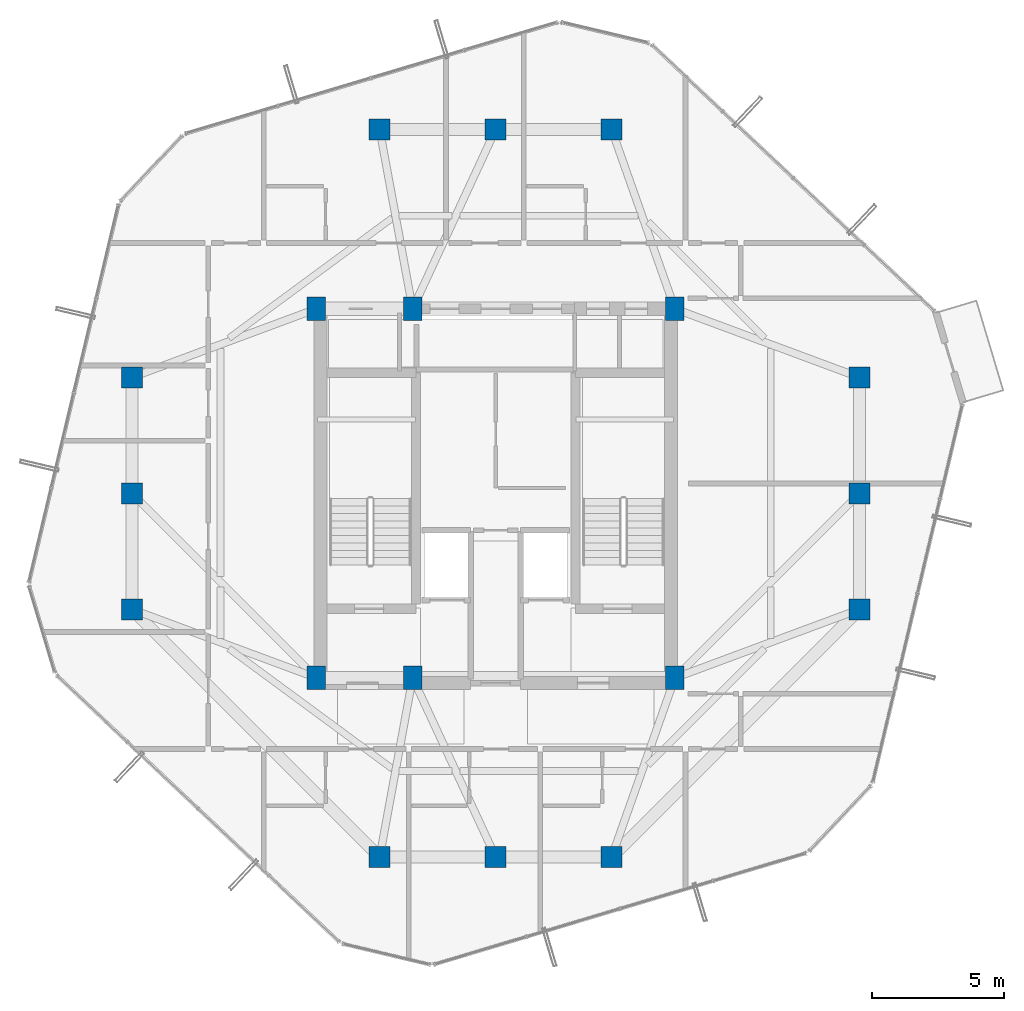
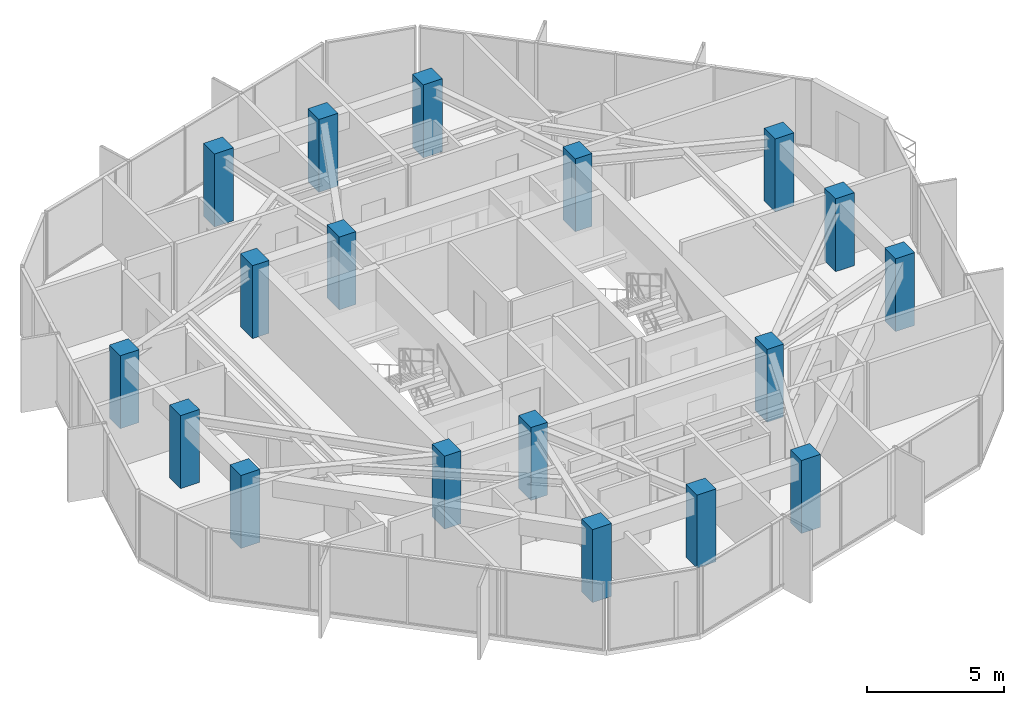
# One storey, part 1 of 28: 18 columns.
"""IFC4 building model written with IfcOpenShell, lengths in metres."""

import ifcopenshell
import ifcopenshell.guid

model = None  # the IFC model being written
_history = None  # IfcOwnerHistory: only IFC2X3 demands one
_inside = {}  # id of a spatial element -> (the spatial element, [elements in it])
_under = {}  # id of a project, library or spatial element -> (it, [spatial elements below it])
_declared = {}  # id of a project -> (the project, [libraries it declares])
_typed = {}  # id of a type object -> (the type object, [elements of that type])
_made_of = {}  # id of a material, layer set ... -> (it, [elements and type objects made of it])


def new_model(schema):
    """Start an empty IFC model of exactly this schema.

    Asked for "IFC4X3", IfcOpenShell would pick the latest addendum, in which some entities
    have other attributes; the version numbers below select the first issue.
    IFC2X3 requires an IfcOwnerHistory on every rooted entity: one is made here for all.
    """
    global model, _history
    if schema == "IFC4X3":
        model = ifcopenshell.file(schema_version=(4, 3, 0, 0))
    else:
        model = ifcopenshell.file(schema=schema)
    _inside.clear()
    _under.clear()
    _declared.clear()
    _typed.clear()
    _made_of.clear()
    _history = None
    if model.schema == "IFC2X3":
        org = make("IfcOrganization", Name="unknown")
        user = make(
            "IfcPersonAndOrganization",
            ThePerson=make("IfcPerson", FamilyName="unknown"),
            TheOrganization=org,
        )
        app = make(
            "IfcApplication",
            ApplicationDeveloper=org,
            Version="unknown",
            ApplicationFullName="unknown",
            ApplicationIdentifier="unknown",
        )
        _history = make(
            "IfcOwnerHistory",
            OwningUser=user,
            OwningApplication=app,
            ChangeAction="ADDED",
            CreationDate=0,
        )
    return model


def make(cls, **values):
    """One entity of the class cls with the attributes given. An attribute that is None is left unset."""
    return model.create_entity(
        cls, **{name: value for name, value in values.items() if value is not None}
    )


def rooted(cls, **values):
    """An entity with a GlobalId (a new one), such as an element, a storey or a relation."""
    return make(cls, GlobalId=ifcopenshell.guid.new(), OwnerHistory=_history, **values)


def si_unit(unit_type, name, prefix=None):
    """IfcSIUnit, for example si_unit("LENGTHUNIT", "METRE", prefix="MILLI")."""
    return make("IfcSIUnit", UnitType=unit_type, Prefix=prefix, Name=name)


def assignment(units):
    """IfcUnitAssignment: the units of a project."""
    return None if units is None else make("IfcUnitAssignment", Units=units)


def point(xyz):
    """IfcCartesianPoint."""
    return None if xyz is None else make("IfcCartesianPoint", Coordinates=xyz)


def direction(xyz):
    """IfcDirection."""
    return None if xyz is None else make("IfcDirection", DirectionRatios=xyz)


def frame(location, z_axis=None, x_axis=None):
    """IfcAxis2Placement3D, a coordinate frame: its origin and axes. An axis left out is left unset."""
    return make(
        "IfcAxis2Placement3D",
        Location=point(location),
        Axis=direction(z_axis),
        RefDirection=direction(x_axis),
    )


def frame_2d(location, x_axis=None):
    """IfcAxis2Placement2D, a coordinate frame in the plane: its origin and x axis."""
    return make(
        "IfcAxis2Placement2D", Location=point(location), RefDirection=direction(x_axis)
    )


def origin():
    """The frame at (0, 0, 0) with its axes left unset."""
    return frame((0.0, 0.0, 0.0))


def origin_2d():
    """The frame at (0, 0) in the plane with its x axis left unset."""
    return frame_2d((0.0, 0.0))


def place(relative_to, where):
    """IfcLocalPlacement: puts the frame where relative to a parent placement (None: the world)."""
    return make(
        "IfcLocalPlacement", PlacementRelTo=relative_to, RelativePlacement=where
    )


def context(
    kind, dimensions, precision=None, world=None, true_north=None, identifier=None
):
    """IfcGeometricRepresentationContext, for example the 3D "Model" context."""
    return make(
        "IfcGeometricRepresentationContext",
        ContextIdentifier=identifier,
        ContextType=kind,
        CoordinateSpaceDimension=dimensions,
        Precision=precision,
        WorldCoordinateSystem=world,
        TrueNorth=true_north,
    )


def subcontext(parent, identifier, kind, view, scale=None):
    """IfcGeometricRepresentationSubContext, for example "Body" below "Model"."""
    return make(
        "IfcGeometricRepresentationSubContext",
        ContextIdentifier=identifier,
        ContextType=kind,
        ParentContext=parent,
        TargetScale=scale,
        TargetView=view,
    )


def project(units=None, contexts=None):
    """IfcProject with its units and contexts."""
    return rooted(
        "IfcProject",
        Name="project",
        RepresentationContexts=contexts,
        UnitsInContext=assignment(units),
    )


def spatial(cls, under=None, at=None, **own):
    """A site, building, storey or space (cls), placed at a placement, below another one or the project."""
    s = rooted(cls, ObjectPlacement=at, **own)
    if under is not None:
        _under.setdefault(under.id(), (under, []))[1].append(s)
    return s


def profile(cls, at=None, kind="AREA", **sizes):
    """A parametric profile (cls). Its sizes go by their IFC names, for example OverallWidth=200.0."""
    return make(cls, ProfileType=kind, Position=at, **sizes)


def rectangle(**sizes):
    """IfcRectangleProfileDef."""
    return profile("IfcRectangleProfileDef", **sizes)


def extrude(swept, where, along, depth):
    """IfcExtrudedAreaSolid: the profile swept, set in the frame where, extruded along a direction by depth."""
    return make(
        "IfcExtrudedAreaSolid",
        SweptArea=swept,
        Position=where,
        ExtrudedDirection=direction(along),
        Depth=depth,
    )


def shape(context_of_items, identifier, shape_type, items):
    """IfcShapeRepresentation: the items that make up one representation, for example the "Body"."""
    return make(
        "IfcShapeRepresentation",
        ContextOfItems=context_of_items,
        RepresentationIdentifier=identifier,
        RepresentationType=shape_type,
        Items=items,
    )


def material(Name=None, Category=None):
    """IfcMaterial."""
    return make("IfcMaterial", Name=Name, Category=Category)


def material_profile(
    of_material, cross_section, Name=None, Category=None, Priority=None
):
    """IfcMaterialProfile: a cross section and its material."""
    return make(
        "IfcMaterialProfile",
        Name=Name,
        Material=of_material,
        Profile=cross_section,
        Priority=Priority,
        Category=Category,
    )


def profile_set(profiles, Name=None, composite=None):
    """IfcMaterialProfileSet."""
    return make(
        "IfcMaterialProfileSet",
        Name=Name,
        MaterialProfiles=profiles,
        CompositeProfile=composite,
    )


def made_of(thing, what):
    """Note that an element or type object is made of a material, layer set ...; save() writes the relation."""
    if what is not None:
        _made_of.setdefault(what.id(), (what, []))[1].append(thing)
    return thing


def type_object(cls, material=None, **own):
    """A type object (cls), such as IfcWallType, which elements share."""
    return made_of(rooted(cls, **own), material)


def element(
    cls,
    number,
    at=None,
    inside=None,
    cuts=None,
    type_object=None,
    material=None,
    context=None,
    identifier="Body",
    shape_type=None,
    held_by="IfcProductDefinitionShape",
    body=None,
    shapes=None,
    **own,
):
    """One element of the class cls, such as IfcWall. Its Tag is "e" and its number.

    at: its placement. inside: the storey or other place that contains it. cuts: it is an
    opening in that element (IfcRelVoidsElement). A single representation is given by context,
    identifier, shape_type and body (its items); several are given by shapes. held_by: the class
    of the entity that holds the representations. save() writes the other relations.
    """
    e = rooted(cls, Tag="e%d" % number, ObjectPlacement=at, **own)
    if body is not None:
        shapes = [shape(context, identifier, shape_type, body)]
    if shapes is not None:
        e.Representation = make(held_by, Representations=shapes)
    if inside is not None:
        _inside.setdefault(inside.id(), (inside, []))[1].append(e)
    if cuts is not None:
        rooted(
            "IfcRelVoidsElement", RelatingBuildingElement=cuts, RelatedOpeningElement=e
        )
    if type_object is not None:
        _typed.setdefault(type_object.id(), (type_object, []))[1].append(e)
    return made_of(e, material)


def aggregate(whole, parts):
    """IfcRelAggregates: a whole, such as a stair, and the parts it consists of."""
    return rooted("IfcRelAggregates", RelatingObject=whole, RelatedObjects=parts)


def save(model, path):
    """Write the relations noted so far, then the file.

    IfcRelAggregates (storeys below a building ...), IfcRelContainedInSpatialStructure (elements
    in a storey), IfcRelDefinesByType, IfcRelAssociatesMaterial and IfcRelDeclares: one each for
    every whole, place, type object, material and project.
    """
    for whole, parts in _under.values():
        aggregate(whole, parts)
    for where, things in _inside.values():
        rooted(
            "IfcRelContainedInSpatialStructure",
            RelatedElements=things,
            RelatingStructure=where,
        )
    for kind, things in _typed.values():
        rooted("IfcRelDefinesByType", RelatedObjects=things, RelatingType=kind)
    for what, things in _made_of.values():
        rooted("IfcRelAssociatesMaterial", RelatedObjects=things, RelatingMaterial=what)
    for by, libraries in _declared.values():
        rooted("IfcRelDeclares", RelatingContext=by, RelatedDefinitions=libraries)
    model.write(path)


model = new_model("IFC4")

# Units and contexts
model_context = context("Model", 3, precision=1e-05, world=origin(), true_north=direction((0.0, 1.0)))
body_context = subcontext(model_context, "Body", "Model", "MODEL_VIEW")
ifc_project = project(units=[si_unit("LENGTHUNIT", "METRE"), si_unit("AREAUNIT", "SQUARE_METRE"), si_unit("VOLUMEUNIT", "CUBIC_METRE"), si_unit("PLANEANGLEUNIT", "RADIAN"), si_unit("MASSUNIT", "GRAM", prefix="KILO")], contexts=[model_context])

# Site, building, storey
site_placement = place(None, origin())
site = spatial("IfcSite", under=ifc_project, at=site_placement, CompositionType="ELEMENT")
building_placement = place(site_placement, origin())
building = spatial("IfcBuilding", under=site, at=building_placement, Name="Veraguas Prism Commons", CompositionType="ELEMENT")
storey_placement = place(building_placement, frame((0.0, 0.0, 254.5)))
storey = spatial("IfcBuildingStorey", under=building, at=storey_placement, Name="L72", CompositionType="ELEMENT", Elevation=254.5)

# Columns
ifc_material = material(Name="Concrete C50/60", Category="concrete")
ifc_material_profile_1 = material_profile(ifc_material, rectangle(XDim=0.800048828125, YDim=0.800048828125, at=origin_2d()), Name="RC800X800")
ifc_profile_set_1 = profile_set([ifc_material_profile_1], Name="Concrete C50/60")
column_type_1 = type_object("IfcColumnType", Name="Column Tube Z4 RC 800x800", PredefinedType="COLUMN", material=ifc_profile_set_1)
for number, where, z_axis, x_axis, name in (
    (1, (37.800048828125, 19.60009765625, 0.0), (0.0, 0.0, 1.0), (1.0, 0.0, 0.0), "Tower Perimeter Column L72-TB01"),
    (2, (37.800048828125, 24.0, 0.0), (0.0, 0.0, 1.0), (1.0, 0.0, 0.0), "Tower Perimeter Column L72-TB02"),
    (3, (37.800048828125, 28.39990234375, 0.0), (0.0, 0.0, 1.0), (1.0, 0.0, 0.0), "Tower Perimeter Column L72-TB03"),
    (4, (28.39990234375, 37.800048828125, 0.0), (0.0, 0.0, 1.0), (1.0, 0.0, 0.0), "Tower Perimeter Column L72-TB04"),
    (5, (24.0, 37.800048828125, 0.0), (0.0, 0.0, 1.0), (1.0, 0.0, 0.0), "Tower Perimeter Column L72-TB05"),
    (6, (19.60009765625, 37.800048828125, 0.0), (0.0, 0.0, 1.0), (1.0, 0.0, 0.0), "Tower Perimeter Column L72-TB06"),
    (7, (10.199951171875, 28.39990234375, 0.0), (0.0, 0.0, 1.0), (1.0, 0.0, 0.0), "Tower Perimeter Column L72-TB07"),
    (8, (10.199951171875, 24.0, 0.0), (0.0, 0.0, 1.0), (1.0, 0.0, 0.0), "Tower Perimeter Column L72-TB08"),
    (9, (10.199951171875, 19.60009765625, 0.0), (0.0, 0.0, 1.0), (1.0, 0.0, 0.0), "Tower Perimeter Column L72-TB09"),
    (10, (19.60009765625, 10.199951171875, 0.0), (0.0, 0.0, 1.0), (1.0, 0.0, 0.0), "Tower Perimeter Column L72-TB10"),
    (11, (24.0, 10.199951171875, 0.0), (0.0, 0.0, 1.0), (1.0, 0.0, 0.0), "Tower Perimeter Column L72-TB11"),
    (12, (28.39990234375, 10.199951171875, 0.0), (0.0, 0.0, 1.0), (1.0, 0.0, 0.0), "Tower Perimeter Column L72-TB12"),
):
    element("IfcColumn", number, at=place(storey_placement, frame(where, z_axis=z_axis, x_axis=x_axis)), inside=storey, type_object=column_type_1, Name=name, PredefinedType="COLUMN", context=body_context, shape_type="SweptSolid", body=[
        extrude(rectangle(XDim=0.800048828125, YDim=0.800048828125, at=origin_2d()), origin(), (0.0, 0.0, 1.0), 3.25),
    ])
ifc_material_profile_2 = material_profile(ifc_material, rectangle(XDim=0.699951171875, YDim=0.89990234375, at=origin_2d()), Name="RC700X900")
ifc_profile_set_2 = profile_set([ifc_material_profile_2], Name="Concrete C50/60")
column_type_2 = type_object("IfcColumnType", Name="Pilaster Core Upper RC 700x900", PredefinedType="PILASTER", material=ifc_profile_set_2)
for number, where, z_axis, x_axis, name in (
    (13, (17.199951171875, 17.0, 0.0), (0.0, 0.0, 1.0), (1.0, 0.0, 0.0), "Core Pilaster Column L72-CR1"),
    (14, (20.85009765625, 17.0, 0.0), (0.0, 0.0, 1.0), (1.0, 0.0, 0.0), "Core Pilaster Column L72-CR2"),
    (15, (30.800048828125, 17.0, 0.0), (0.0, 0.0, 1.0), (1.0, 0.0, 0.0), "Core Pilaster Column L72-CR3"),
    (16, (17.199951171875, 31.0, 0.0), (0.0, 0.0, 1.0), (1.0, 0.0, 0.0), "Core Pilaster Column L72-CR4"),
    (17, (20.85009765625, 31.0, 0.0), (0.0, 0.0, 1.0), (1.0, 0.0, 0.0), "Core Pilaster Column L72-CR5"),
    (18, (30.800048828125, 31.0, 0.0), (0.0, 0.0, 1.0), (1.0, 0.0, 0.0), "Core Pilaster Column L72-CR6"),
):
    element("IfcColumn", number, at=place(storey_placement, frame(where, z_axis=z_axis, x_axis=x_axis)), inside=storey, type_object=column_type_2, Name=name, PredefinedType="PILASTER", context=body_context, shape_type="SweptSolid", body=[
        extrude(rectangle(XDim=0.699951171875, YDim=0.89990234375, at=origin_2d()), origin(), (0.0, 0.0, 1.0), 3.25),
    ])

save(model, "model.ifc")
